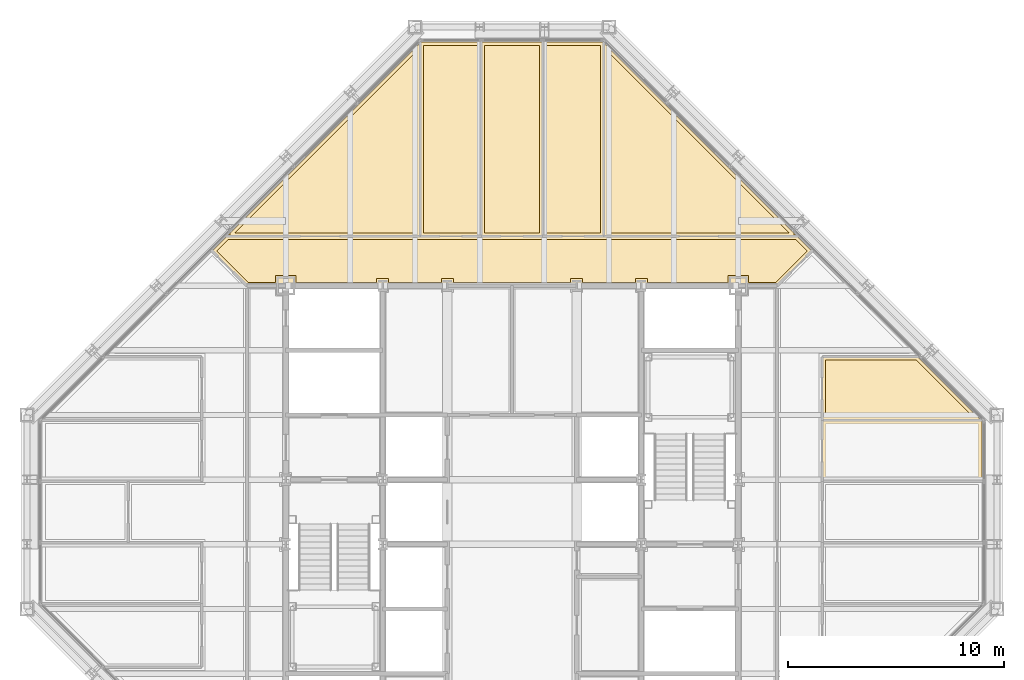
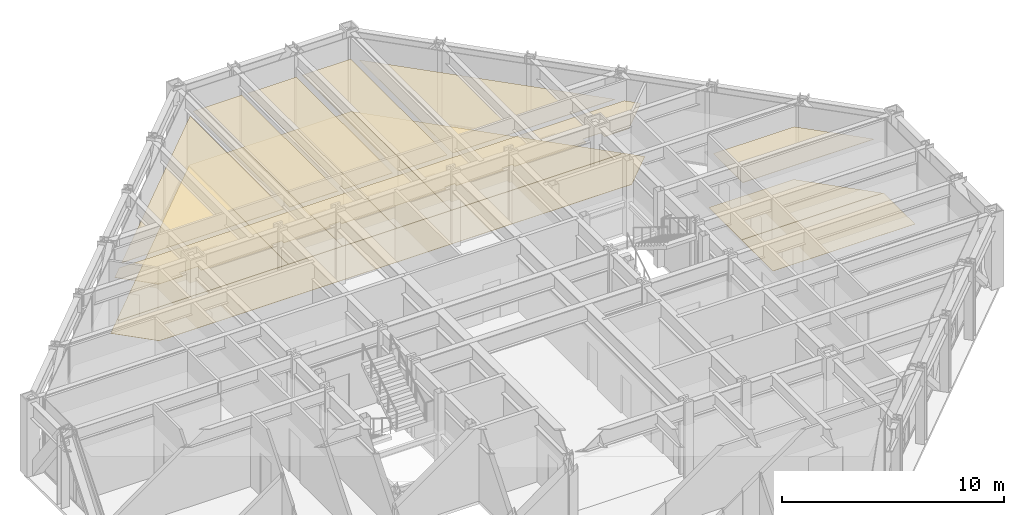
# One storey, part 15 of 15: 15 coverings.
"""IFC4 building model written with IfcOpenShell, lengths in metres."""

from ifc_helpers import new_model, si_unit, direction, frame, origin, place, context, subcontext, project, spatial, polyline, outline, extrude, material, layer, layer_set, type_object, element, save


model = new_model("IFC4")

# Units and contexts
model_context = context("Model", 3, precision=1e-05, world=origin(), true_north=direction((0.0, 1.0)))
body_context = subcontext(model_context, "Body", "Model", "MODEL_VIEW")
ifc_project = project(units=[si_unit("LENGTHUNIT", "METRE"), si_unit("AREAUNIT", "SQUARE_METRE"), si_unit("VOLUMEUNIT", "CUBIC_METRE"), si_unit("PLANEANGLEUNIT", "RADIAN"), si_unit("MASSUNIT", "GRAM", prefix="KILO")], contexts=[model_context])

# Site, building, storey
site_placement = place(None, origin())
site = spatial("IfcSite", under=ifc_project, at=site_placement, CompositionType="ELEMENT")
building_placement = place(site_placement, origin())
building = spatial("IfcBuilding", under=site, at=building_placement, Name="Chuquiago Exchange Tower", CompositionType="ELEMENT")
storey_placement = place(building_placement, frame((0.0, 0.0, 262.199951171875)))
storey = spatial("IfcBuildingStorey", under=building, at=storey_placement, Name="L58", CompositionType="ELEMENT", Elevation=262.199951171875)

# Coverings
ifc_material_1 = material(Name="Mineral fibre tile, 600 x 600, on pale metal grid", Category="mineral fibre")
ifc_layer_1 = layer(ifc_material_1, 0.02001953125)
ifc_layer_set_1 = layer_set([ifc_layer_1], Name="CL1 suspended tile ceiling 20")
covering_type_1 = type_object("IfcCoveringType", Name="CL1 suspended tile ceiling 20", PredefinedType="CEILING", material=ifc_layer_set_1)
covering_1_placement = place(storey_placement, frame((0.0, 0.0, 3.0)))
element("IfcCovering", 1, at=covering_1_placement, inside=storey, type_object=covering_type_1, Name="Ceiling Office", PredefinedType="CEILING", context=body_context, shape_type="SweptSolid", body=[
    extrude(outline(polyline([(37.050048828125, 26.901611328125), (37.050048828125, 29.54296875), (41.255126953125, 29.54296875), (43.896484375, 26.901611328125), (37.050048828125, 26.901611328125)])), origin(), (0.0, 0.0, 1.0), 0.02001953125),
])
covering_2_placement = place(storey_placement, frame((0.0, 0.0, 3.0)))
element("IfcCovering", 2, at=covering_2_placement, inside=storey, type_object=covering_type_1, Name="Ceiling Training room", PredefinedType="CEILING", context=body_context, shape_type="SweptSolid", body=[
    extrude(outline(polyline([(18.098388671875, 43.896484375), (18.098388671875, 35.449951171875), (9.652099609375, 35.449951171875), (18.098388671875, 43.896484375)])), origin(), (0.0, 0.0, 1.0), 0.02001953125),
])
covering_3_placement = place(storey_placement, frame((0.0, 0.0, 3.0)))
element("IfcCovering", 3, at=covering_3_placement, inside=storey, type_object=covering_type_1, Name="Ceiling Executive office", PredefinedType="CEILING", context=body_context, shape_type="SweptSolid", body=[
    extrude(outline(polyline([(20.932861328125, 44.14990234375), (20.932861328125, 35.449951171875), (18.3984375, 35.449951171875), (18.3984375, 44.14990234375), (20.932861328125, 44.14990234375)])), origin(), (0.0, 0.0, 1.0), 0.02001953125),
])
covering_4_placement = place(storey_placement, frame((0.0, 0.0, 3.0)))
element("IfcCovering", 4, at=covering_4_placement, inside=storey, type_object=covering_type_1, Name="Ceiling Executive office", PredefinedType="CEILING", context=body_context, shape_type="SweptSolid", body=[
    extrude(outline(polyline([(23.76708984375, 35.449951171875), (21.23291015625, 35.449951171875), (21.23291015625, 44.14990234375), (23.76708984375, 44.14990234375), (23.76708984375, 35.449951171875)])), origin(), (0.0, 0.0, 1.0), 0.02001953125),
])
covering_5_placement = place(storey_placement, frame((0.0, 0.0, 3.0)))
element("IfcCovering", 5, at=covering_5_placement, inside=storey, type_object=covering_type_1, Name="Ceiling Executive office", PredefinedType="CEILING", context=body_context, shape_type="SweptSolid", body=[
    extrude(outline(polyline([(26.6015625, 35.449951171875), (24.067138671875, 35.449951171875), (24.067138671875, 44.14990234375), (26.6015625, 44.14990234375), (26.6015625, 35.449951171875)])), origin(), (0.0, 0.0, 1.0), 0.02001953125),
])
covering_6_placement = place(storey_placement, frame((0.0, 0.0, 3.0)))
element("IfcCovering", 6, at=covering_6_placement, inside=storey, type_object=covering_type_1, Name="Ceiling Boardroom", PredefinedType="CEILING", context=body_context, shape_type="SweptSolid", body=[
    extrude(outline(polyline([(26.901611328125, 35.449951171875), (26.901611328125, 43.896484375), (35.347900390625, 35.449951171875), (26.901611328125, 35.449951171875)])), origin(), (0.0, 0.0, 1.0), 0.02001953125),
])
covering_7_placement = place(storey_placement, frame((0.0, 0.0, 3.0)))
element("IfcCovering", 7, at=covering_7_placement, inside=storey, type_object=covering_type_1, Name="Ceiling Executive reception north", PredefinedType="CEILING", context=body_context, shape_type="SweptSolid", body=[
    extrude(outline(polyline([(35.64794921875, 35.14990234375), (36.192626953125, 34.60546875), (34.7373046875, 33.14990234375), (33.47509765625, 33.14990234375), (33.47509765625, 33.47509765625), (32.52490234375, 33.47509765625), (32.52490234375, 33.14990234375), (28.77490234375, 33.14990234375), (28.77490234375, 33.32421875), (28.22509765625, 33.32421875), (28.22509765625, 33.14990234375), (25.77490234375, 33.14990234375), (25.77490234375, 33.32421875), (25.22509765625, 33.32421875), (25.22509765625, 33.14990234375), (19.77490234375, 33.14990234375), (19.77490234375, 33.32421875), (19.22509765625, 33.32421875), (19.22509765625, 33.14990234375), (16.77490234375, 33.14990234375), (16.77490234375, 33.32421875), (16.22509765625, 33.32421875), (16.22509765625, 33.14990234375), (12.47509765625, 33.14990234375), (12.47509765625, 33.47509765625), (11.52490234375, 33.47509765625), (11.52490234375, 33.14990234375), (10.2626953125, 33.14990234375), (8.807373046875, 34.60546875), (9.35205078125, 35.14990234375), (35.64794921875, 35.14990234375)])), origin(), (0.0, 0.0, 1.0), 0.02001953125),
])
ifc_material_2 = material(Name="Carpet tile, 500 x 500, on the floor slab", Category="textile")
ifc_layer_2 = layer(ifc_material_2, 0.010009765625)
ifc_layer_set_2 = layer_set([ifc_layer_2], Name="FL1 carpet tile 10")
covering_type_2 = type_object("IfcCoveringType", Name="FL1 carpet tile 10", PredefinedType="FLOORING", material=ifc_layer_set_2)
covering_8_placement = place(storey_placement, origin())
element("IfcCovering", 8, at=covering_8_placement, inside=storey, type_object=covering_type_2, Name="Floor finish Meeting room", PredefinedType="FLOORING", context=body_context, shape_type="SweptSolid", body=[
    extrude(outline(polyline([(44.300048828125, 26.710205078125), (44.300048828125, 23.917236328125), (36.89990234375, 23.917236328125), (36.89990234375, 26.75146484375), (44.258544921875, 26.75146484375), (44.300048828125, 26.710205078125)])), origin(), (0.0, 0.0, 1.0), 0.010009765625),
])
covering_9_placement = place(storey_placement, origin())
element("IfcCovering", 9, at=covering_9_placement, inside=storey, type_object=covering_type_2, Name="Floor finish Office", PredefinedType="FLOORING", context=body_context, shape_type="SweptSolid", body=[
    extrude(outline(polyline([(44.258544921875, 26.75146484375), (36.89990234375, 26.75146484375), (36.89990234375, 29.69287109375), (41.317138671875, 29.69287109375), (44.258544921875, 26.75146484375)])), origin(), (0.0, 0.0, 1.0), 0.010009765625),
])
covering_10_placement = place(storey_placement, origin())
element("IfcCovering", 10, at=covering_10_placement, inside=storey, type_object=covering_type_2, Name="Floor finish Training room", PredefinedType="FLOORING", context=body_context, shape_type="SweptSolid", body=[
    extrude(outline(polyline([(18.24853515625, 44.258544921875), (18.24853515625, 35.300048828125), (9.42431640625, 35.300048828125), (9.42431640625, 35.434326171875), (18.24853515625, 44.258544921875)])), origin(), (0.0, 0.0, 1.0), 0.010009765625),
])
covering_11_placement = place(storey_placement, origin())
element("IfcCovering", 11, at=covering_11_placement, inside=storey, type_object=covering_type_2, Name="Floor finish Executive office", PredefinedType="FLOORING", context=body_context, shape_type="SweptSolid", body=[
    extrude(outline(polyline([(18.289794921875, 44.300048828125), (21.082763671875, 44.300048828125), (21.082763671875, 35.300048828125), (18.24853515625, 35.300048828125), (18.24853515625, 44.258544921875), (18.289794921875, 44.300048828125)])), origin(), (0.0, 0.0, 1.0), 0.010009765625),
])
covering_12_placement = place(storey_placement, origin())
element("IfcCovering", 12, at=covering_12_placement, inside=storey, type_object=covering_type_2, Name="Floor finish Executive office", PredefinedType="FLOORING", context=body_context, shape_type="SweptSolid", body=[
    extrude(outline(polyline([(23.917236328125, 44.300048828125), (23.917236328125, 35.300048828125), (21.082763671875, 35.300048828125), (21.082763671875, 44.300048828125), (23.917236328125, 44.300048828125)])), origin(), (0.0, 0.0, 1.0), 0.010009765625),
])
covering_13_placement = place(storey_placement, origin())
element("IfcCovering", 13, at=covering_13_placement, inside=storey, type_object=covering_type_2, Name="Floor finish Executive office", PredefinedType="FLOORING", context=body_context, shape_type="SweptSolid", body=[
    extrude(outline(polyline([(26.710205078125, 44.300048828125), (26.75146484375, 44.258544921875), (26.75146484375, 35.300048828125), (23.917236328125, 35.300048828125), (23.917236328125, 44.300048828125), (26.710205078125, 44.300048828125)])), origin(), (0.0, 0.0, 1.0), 0.010009765625),
])
covering_14_placement = place(storey_placement, origin())
element("IfcCovering", 14, at=covering_14_placement, inside=storey, type_object=covering_type_2, Name="Floor finish Boardroom", PredefinedType="FLOORING", context=body_context, shape_type="SweptSolid", body=[
    extrude(outline(polyline([(35.57568359375, 35.434326171875), (35.57568359375, 35.300048828125), (26.75146484375, 35.300048828125), (26.75146484375, 44.258544921875), (35.57568359375, 35.434326171875)])), origin(), (0.0, 0.0, 1.0), 0.010009765625),
])
ifc_material_3 = material(Name="Porcelain floor tile, 600 x 600, on adhesive bed", Category="ceramic")
ifc_layer_3 = layer(ifc_material_3, 0.014892578125)
ifc_layer_set_3 = layer_set([ifc_layer_3], Name="FL2 porcelain tile 15")
covering_type_3 = type_object("IfcCoveringType", Name="FL2 porcelain tile 15", PredefinedType="FLOORING", material=ifc_layer_set_3)
covering_15_placement = place(storey_placement, origin())
element("IfcCovering", 15, at=covering_15_placement, inside=storey, type_object=covering_type_3, Name="Floor finish Executive reception north", PredefinedType="FLOORING", context=body_context, shape_type="SweptSolid", body=[
    extrude(outline(polyline([(9.42431640625, 35.300048828125), (35.57568359375, 35.300048828125), (35.57568359375, 35.434326171875), (36.40478515625, 34.60546875), (34.799560546875, 33.0), (10.200439453125, 33.0), (8.59521484375, 34.60546875), (13.631591796875, 39.6416015625), (9.42431640625, 35.434326171875), (9.42431640625, 35.300048828125)])), origin(), (0.0, 0.0, 1.0), 0.01513671875),
])

save(model, "model.ifc")
